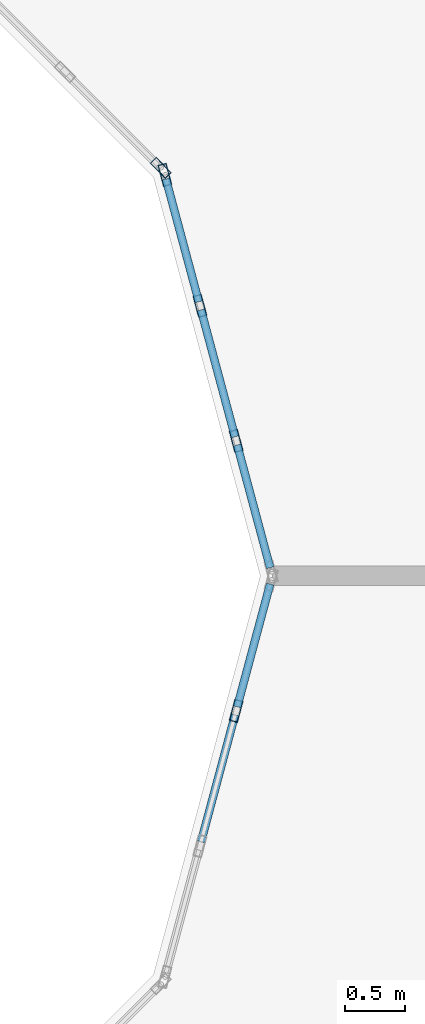
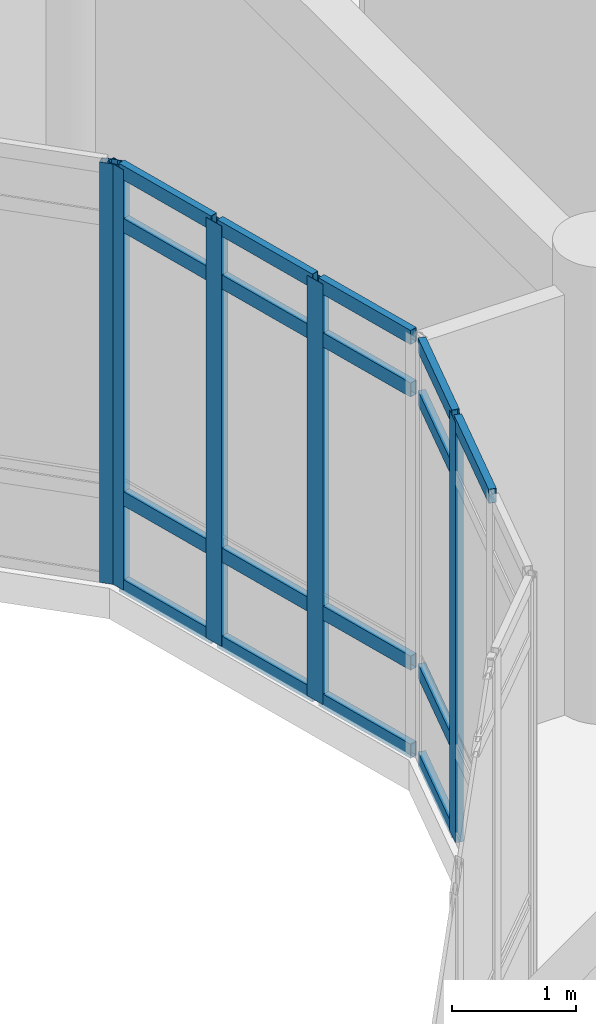
# One storey, part 35 of 144: 22 members, 3 elements without a shape of their own.
"""IFC4 building model written with IfcOpenShell, lengths in metres."""

from ifc_helpers import new_model, si_unit, direction, frame, origin, origin_2d, place, context, subcontext, project, spatial, hollow_rectangle, extrude, material, layer, layer_set, material_profile, profile_set, type_object, element, aggregate, save


model = new_model("IFC4")

# Units and contexts
model_context = context("Model", 3, precision=1e-05, world=origin(), true_north=direction((0.0, 1.0)))
body_context = subcontext(model_context, "Body", "Model", "MODEL_VIEW")
ifc_project = project(units=[si_unit("LENGTHUNIT", "METRE"), si_unit("AREAUNIT", "SQUARE_METRE"), si_unit("VOLUMEUNIT", "CUBIC_METRE"), si_unit("PLANEANGLEUNIT", "RADIAN"), si_unit("MASSUNIT", "GRAM", prefix="KILO")], contexts=[model_context])

# Site, building, storey
site_placement = place(None, origin())
site = spatial("IfcSite", under=ifc_project, at=site_placement, CompositionType="ELEMENT")
building_placement = place(site_placement, origin())
building = spatial("IfcBuilding", under=site, at=building_placement, Name="Bramfleet General Hospital", CompositionType="ELEMENT")
storey_placement = place(building_placement, frame((0.0, 0.0, 4.800048828125)))
storey = spatial("IfcBuildingStorey", under=building, at=storey_placement, Name="L01", CompositionType="ELEMENT", Elevation=4.800048828125)

# Curtain wall, member
ifc_material_1 = material(Name="Anodised aluminium and low-E triple glazing", Category="aluminium")
ifc_layer_1 = layer(ifc_material_1, 0.179931640625, Name="CWT-CW-14")
ifc_layer_set_1 = layer_set([ifc_layer_1], Name="Anodised aluminium and low-E triple glazing")
curtain_wall_type_1 = type_object("IfcCurtainWallType", Name="CWT-CW-14", PredefinedType="USERDEFINED", material=ifc_layer_set_1)
curtain_wall_1_placement = place(storey_placement, origin())
curtain_wall_1 = element("IfcCurtainWall", 1, at=curtain_wall_1_placement, inside=storey, type_object=curtain_wall_type_1, Name="L01 West Clinical Light Court Curtain Wall 6.1", ObjectType="Stick curtain wall", PredefinedType="USERDEFINED")
ifc_material_2 = material(Name="Anodised aluminium EN AW-6060", Category="aluminium")
ifc_material_profile_1 = material_profile(ifc_material_2, hollow_rectangle(XDim=0.070068359375, YDim=0.179931640625, WallThickness=0.00390625, at=origin_2d()), Name="ALU 180x70x4.0")
ifc_profile_set_1 = profile_set([ifc_material_profile_1], Name="Anodised aluminium EN AW-6060")
member_type_1 = type_object("IfcMemberType", Name="CWM-ALU180", PredefinedType="MULLION", material=ifc_profile_set_1)
member_1_placement = place(storey_placement, frame((31.6005859375, 82.88330078125, 0.0), z_axis=(0.0, 0.0, 1.0), x_axis=(-0.965899136003, 0.25891863407, 0.0)))
member_1 = element("IfcMember", 2, at=member_1_placement, type_object=member_type_1, Name="CW-14 mullion 3", PredefinedType="MULLION", context=body_context, shape_type="SweptSolid", body=[
    extrude(hollow_rectangle(XDim=0.070068359375, YDim=0.179931640625, WallThickness=0.00390625, at=origin_2d()), origin(), (0.0, 0.0, 1.0), 4.139892578125),
])

# Curtain wall, members
ifc_layer_2 = layer(ifc_material_1, 0.179931640625, Name="CWT-CW-15")
ifc_layer_set_2 = layer_set([ifc_layer_2], Name="Anodised aluminium and low-E triple glazing")
curtain_wall_type_2 = type_object("IfcCurtainWallType", Name="CWT-CW-15", PredefinedType="USERDEFINED", material=ifc_layer_set_2)
curtain_wall_2_placement = place(storey_placement, origin())
curtain_wall_2 = element("IfcCurtainWall", 3, at=curtain_wall_2_placement, inside=storey, type_object=curtain_wall_type_2, Name="L01 West Clinical Light Court Curtain Wall 7.1", ObjectType="Stick curtain wall", PredefinedType="USERDEFINED")
member_2_placement = place(storey_placement, frame((31.6005859375, 85.11669921875, 0.0), z_axis=(0.0, 0.0, 1.0), x_axis=(-0.965899136003, -0.25891863407, 0.0)))
member_2 = element("IfcMember", 4, at=member_2_placement, type_object=member_type_1, Name="CW-15 mullion 2", PredefinedType="MULLION", context=body_context, shape_type="SweptSolid", body=[
    extrude(hollow_rectangle(XDim=0.070068359375, YDim=0.179931640625, WallThickness=0.00390625, at=origin_2d()), origin(), (0.0, 0.0, 1.0), 4.139892578125),
])
member_3_placement = place(storey_placement, frame((31.30126953125, 86.2333984375, 0.0), z_axis=(0.0, 0.0, 1.0), x_axis=(-0.965899136003, -0.25891863407, 0.0)))
member_3 = element("IfcMember", 5, at=member_3_placement, type_object=member_type_1, Name="CW-15 mullion 3", PredefinedType="MULLION", context=body_context, shape_type="SweptSolid", body=[
    extrude(hollow_rectangle(XDim=0.070068359375, YDim=0.179931640625, WallThickness=0.00390625, at=origin_2d()), origin(), (0.0, 0.0, 1.0), 4.139892578125),
])
member_4_placement = place(storey_placement, frame((31.010986328125, 87.316162109375, 0.0), z_axis=(0.0, 0.0, 1.0), x_axis=(-0.965899136003, -0.25891863407, 0.0)))
member_4 = element("IfcMember", 6, at=member_4_placement, type_object=member_type_1, Name="CW-15 mullion 4", PredefinedType="MULLION", context=body_context, shape_type="SweptSolid", body=[
    extrude(hollow_rectangle(XDim=0.070068359375, YDim=0.179931640625, WallThickness=0.00390625, at=origin_2d()), origin(), (0.0, 0.0, 1.0), 4.139892578125),
])

# Curtain wall, member
ifc_layer_3 = layer(ifc_material_1, 0.179931640625, Name="CWT-CW-16")
ifc_layer_set_3 = layer_set([ifc_layer_3], Name="Anodised aluminium and low-E triple glazing")
curtain_wall_type_3 = type_object("IfcCurtainWallType", Name="CWT-CW-16", PredefinedType="USERDEFINED", material=ifc_layer_set_3)
curtain_wall_3_placement = place(storey_placement, origin())
curtain_wall_3 = element("IfcCurtainWall", 7, at=curtain_wall_3_placement, inside=storey, type_object=curtain_wall_type_3, Name="L01 West Clinical Light Court Curtain Wall 8.1", ObjectType="Stick curtain wall", PredefinedType="USERDEFINED")
member_5_placement = place(storey_placement, frame((30.977294921875, 87.374755859375, 0.0), z_axis=(0.0, 0.0, 1.0), x_axis=(-0.707106781187, -0.707106781187, 0.0)))
member_5 = element("IfcMember", 8, at=member_5_placement, type_object=member_type_1, Name="CW-16 mullion 1", PredefinedType="MULLION", context=body_context, shape_type="SweptSolid", body=[
    extrude(hollow_rectangle(XDim=0.070068359375, YDim=0.179931640625, WallThickness=0.00390625, at=origin_2d()), origin(), (0.0, 0.0, 1.0), 4.139892578125),
])
aggregate(curtain_wall_3, [member_5])

# Member
ifc_material_profile_2 = material_profile(ifc_material_2, hollow_rectangle(XDim=0.06494140625, YDim=0.139892578125, WallThickness=0.00390625, at=origin_2d()), Name="ALU 140x65x4.0")
ifc_profile_set_2 = profile_set([ifc_material_profile_2], Name="Anodised aluminium EN AW-6060")
member_type_2 = type_object("IfcMemberType", Name="CWT-ALU140", PredefinedType="USERDEFINED", material=ifc_profile_set_2)
member_6_placement = place(storey_placement, frame((31.310302734375, 81.800537109375, 4.107421875), z_axis=(0.258949558843, 0.965890845787, 0.0), x_axis=(-0.965890845787, 0.258949558843, 0.0)))
member_6 = element("IfcMember", 9, at=member_6_placement, type_object=member_type_2, Name="CW-14 transom 2.4", ObjectType="TRANSOM", PredefinedType="USERDEFINED", context=body_context, shape_type="SweptSolid", body=[
    extrude(hollow_rectangle(XDim=0.06494140625, YDim=0.139892578125, WallThickness=0.00390625, at=origin_2d()), origin(), (0.0, 0.0, 1.0), 1.086181640625),
])

member_7_placement = place(storey_placement, frame((31.609619140625, 82.917236328125, 0.032470703125), z_axis=(0.259007003236, 0.965875443458, 0.0), x_axis=(-0.965875443458, 0.259007003236, 0.0)))
member_7 = element("IfcMember", 10, at=member_7_placement, type_object=member_type_2, Name="CW-14 transom 3.1", ObjectType="TRANSOM", PredefinedType="USERDEFINED", context=body_context, shape_type="SweptSolid", body=[
    extrude(hollow_rectangle(XDim=0.06494140625, YDim=0.139892578125, WallThickness=0.00390625, at=origin_2d()), origin(), (0.0, 0.0, 1.0), 1.051025390625),
])

member_8_placement = place(storey_placement, frame((31.609619140625, 82.917236328125, 0.89990234375), z_axis=(0.259007003236, 0.965875443458, 0.0), x_axis=(-0.965875443458, 0.259007003236, 0.0)))
member_8 = element("IfcMember", 11, at=member_8_placement, type_object=member_type_2, Name="CW-14 transom 3.2", ObjectType="TRANSOM", PredefinedType="USERDEFINED", context=body_context, shape_type="SweptSolid", body=[
    extrude(hollow_rectangle(XDim=0.06494140625, YDim=0.139892578125, WallThickness=0.00390625, at=origin_2d()), origin(), (0.0, 0.0, 1.0), 1.051025390625),
])

member_9_placement = place(storey_placement, frame((31.609619140625, 82.917236328125, 3.58984375), z_axis=(0.259007003236, 0.965875443458, 0.0), x_axis=(-0.965875443458, 0.259007003236, 0.0)))
member_9 = element("IfcMember", 12, at=member_9_placement, type_object=member_type_2, Name="CW-14 transom 3.3", ObjectType="TRANSOM", PredefinedType="USERDEFINED", context=body_context, shape_type="SweptSolid", body=[
    extrude(hollow_rectangle(XDim=0.06494140625, YDim=0.139892578125, WallThickness=0.00390625, at=origin_2d()), origin(), (0.0, 0.0, 1.0), 1.051025390625),
])

member_10_placement = place(storey_placement, frame((31.609619140625, 82.917236328125, 4.107421875), z_axis=(0.259007003236, 0.965875443458, 0.0), x_axis=(-0.965875443458, 0.259007003236, 0.0)))
member_10 = element("IfcMember", 13, at=member_10_placement, type_object=member_type_2, Name="CW-14 transom 3.4", ObjectType="TRANSOM", PredefinedType="USERDEFINED", context=body_context, shape_type="SweptSolid", body=[
    extrude(hollow_rectangle(XDim=0.06494140625, YDim=0.139892578125, WallThickness=0.00390625, at=origin_2d()), origin(), (0.0, 0.0, 1.0), 1.051025390625),
])

aggregate(curtain_wall_1, [member_1, member_6, member_7, member_8, member_9, member_10])

member_11_placement = place(storey_placement, frame((31.8818359375, 84.067626953125, 0.032470703125), z_axis=(-0.259007003236, 0.965875443458, 0.0), x_axis=(-0.965875443458, -0.259007003236, 0.0)))
member_11 = element("IfcMember", 14, at=member_11_placement, type_object=member_type_2, Name="CW-15 transom 1.1", ObjectType="TRANSOM", PredefinedType="USERDEFINED", context=body_context, shape_type="SweptSolid", body=[
    extrude(hollow_rectangle(XDim=0.06494140625, YDim=0.139892578125, WallThickness=0.00390625, at=origin_2d()), origin(), (0.0, 0.0, 1.0), 1.051025390625),
])

member_12_placement = place(storey_placement, frame((31.8818359375, 84.067626953125, 0.89990234375), z_axis=(-0.259007003236, 0.965875443458, 0.0), x_axis=(-0.965875443458, -0.259007003236, 0.0)))
member_12 = element("IfcMember", 15, at=member_12_placement, type_object=member_type_2, Name="CW-15 transom 1.2", ObjectType="TRANSOM", PredefinedType="USERDEFINED", context=body_context, shape_type="SweptSolid", body=[
    extrude(hollow_rectangle(XDim=0.06494140625, YDim=0.139892578125, WallThickness=0.00390625, at=origin_2d()), origin(), (0.0, 0.0, 1.0), 1.051025390625),
])

member_13_placement = place(storey_placement, frame((31.8818359375, 84.067626953125, 3.58984375), z_axis=(-0.259007003236, 0.965875443458, 0.0), x_axis=(-0.965875443458, -0.259007003236, 0.0)))
member_13 = element("IfcMember", 16, at=member_13_placement, type_object=member_type_2, Name="CW-15 transom 1.3", ObjectType="TRANSOM", PredefinedType="USERDEFINED", context=body_context, shape_type="SweptSolid", body=[
    extrude(hollow_rectangle(XDim=0.06494140625, YDim=0.139892578125, WallThickness=0.00390625, at=origin_2d()), origin(), (0.0, 0.0, 1.0), 1.051025390625),
])

member_14_placement = place(storey_placement, frame((31.8818359375, 84.067626953125, 4.107421875), z_axis=(-0.259007003236, 0.965875443458, 0.0), x_axis=(-0.965875443458, -0.259007003236, 0.0)))
member_14 = element("IfcMember", 17, at=member_14_placement, type_object=member_type_2, Name="CW-15 transom 1.4", ObjectType="TRANSOM", PredefinedType="USERDEFINED", context=body_context, shape_type="SweptSolid", body=[
    extrude(hollow_rectangle(XDim=0.06494140625, YDim=0.139892578125, WallThickness=0.00390625, at=origin_2d()), origin(), (0.0, 0.0, 1.0), 1.051025390625),
])

member_15_placement = place(storey_placement, frame((31.591552734375, 85.150390625, 0.032470703125), z_axis=(-0.258949558843, 0.965890845787, 0.0), x_axis=(-0.965890845787, -0.258949558843, 0.0)))
member_15 = element("IfcMember", 18, at=member_15_placement, type_object=member_type_2, Name="CW-15 transom 2.1", ObjectType="TRANSOM", PredefinedType="USERDEFINED", context=body_context, shape_type="SweptSolid", body=[
    extrude(hollow_rectangle(XDim=0.06494140625, YDim=0.139892578125, WallThickness=0.00390625, at=origin_2d()), origin(), (0.0, 0.0, 1.0), 1.086181640625),
])

member_16_placement = place(storey_placement, frame((31.591552734375, 85.150390625, 0.89990234375), z_axis=(-0.258949558843, 0.965890845787, 0.0), x_axis=(-0.965890845787, -0.258949558843, 0.0)))
member_16 = element("IfcMember", 19, at=member_16_placement, type_object=member_type_2, Name="CW-15 transom 2.2", ObjectType="TRANSOM", PredefinedType="USERDEFINED", context=body_context, shape_type="SweptSolid", body=[
    extrude(hollow_rectangle(XDim=0.06494140625, YDim=0.139892578125, WallThickness=0.00390625, at=origin_2d()), origin(), (0.0, 0.0, 1.0), 1.086181640625),
])

member_17_placement = place(storey_placement, frame((31.591552734375, 85.150390625, 3.58984375), z_axis=(-0.258949558843, 0.965890845787, 0.0), x_axis=(-0.965890845787, -0.258949558843, 0.0)))
member_17 = element("IfcMember", 20, at=member_17_placement, type_object=member_type_2, Name="CW-15 transom 2.3", ObjectType="TRANSOM", PredefinedType="USERDEFINED", context=body_context, shape_type="SweptSolid", body=[
    extrude(hollow_rectangle(XDim=0.06494140625, YDim=0.139892578125, WallThickness=0.00390625, at=origin_2d()), origin(), (0.0, 0.0, 1.0), 1.086181640625),
])

member_18_placement = place(storey_placement, frame((31.591552734375, 85.150390625, 4.107421875), z_axis=(-0.258949558843, 0.965890845787, 0.0), x_axis=(-0.965890845787, -0.258949558843, 0.0)))
member_18 = element("IfcMember", 21, at=member_18_placement, type_object=member_type_2, Name="CW-15 transom 2.4", ObjectType="TRANSOM", PredefinedType="USERDEFINED", context=body_context, shape_type="SweptSolid", body=[
    extrude(hollow_rectangle(XDim=0.06494140625, YDim=0.139892578125, WallThickness=0.00390625, at=origin_2d()), origin(), (0.0, 0.0, 1.0), 1.086181640625),
])

member_19_placement = place(storey_placement, frame((31.292236328125, 86.26708984375, 0.032470703125), z_axis=(-0.258948903342, 0.965891021523, 0.0), x_axis=(-0.965891021523, -0.258948903342, 0.0)))
member_19 = element("IfcMember", 22, at=member_19_placement, type_object=member_type_2, Name="CW-15 transom 3.1", ObjectType="TRANSOM", PredefinedType="USERDEFINED", context=body_context, shape_type="SweptSolid", body=[
    extrude(hollow_rectangle(XDim=0.06494140625, YDim=0.139892578125, WallThickness=0.00390625, at=origin_2d()), origin(), (0.0, 0.0, 1.0), 1.05126953125),
])

member_20_placement = place(storey_placement, frame((31.292236328125, 86.26708984375, 0.89990234375), z_axis=(-0.258948903342, 0.965891021523, 0.0), x_axis=(-0.965891021523, -0.258948903342, 0.0)))
member_20 = element("IfcMember", 23, at=member_20_placement, type_object=member_type_2, Name="CW-15 transom 3.2", ObjectType="TRANSOM", PredefinedType="USERDEFINED", context=body_context, shape_type="SweptSolid", body=[
    extrude(hollow_rectangle(XDim=0.06494140625, YDim=0.139892578125, WallThickness=0.00390625, at=origin_2d()), origin(), (0.0, 0.0, 1.0), 1.05126953125),
])

member_21_placement = place(storey_placement, frame((31.292236328125, 86.26708984375, 3.58984375), z_axis=(-0.258948903342, 0.965891021523, 0.0), x_axis=(-0.965891021523, -0.258948903342, 0.0)))
member_21 = element("IfcMember", 24, at=member_21_placement, type_object=member_type_2, Name="CW-15 transom 3.3", ObjectType="TRANSOM", PredefinedType="USERDEFINED", context=body_context, shape_type="SweptSolid", body=[
    extrude(hollow_rectangle(XDim=0.06494140625, YDim=0.139892578125, WallThickness=0.00390625, at=origin_2d()), origin(), (0.0, 0.0, 1.0), 1.05126953125),
])

member_22_placement = place(storey_placement, frame((31.292236328125, 86.26708984375, 4.107421875), z_axis=(-0.258948903342, 0.965891021523, 0.0), x_axis=(-0.965891021523, -0.258948903342, 0.0)))
member_22 = element("IfcMember", 25, at=member_22_placement, type_object=member_type_2, Name="CW-15 transom 3.4", ObjectType="TRANSOM", PredefinedType="USERDEFINED", context=body_context, shape_type="SweptSolid", body=[
    extrude(hollow_rectangle(XDim=0.06494140625, YDim=0.139892578125, WallThickness=0.00390625, at=origin_2d()), origin(), (0.0, 0.0, 1.0), 1.05126953125),
])

aggregate(curtain_wall_2, [member_2, member_3, member_4, member_11, member_12, member_13, member_14, member_15, member_16, member_17, member_18, member_19, member_20, member_21, member_22])

save(model, "model.ifc")
